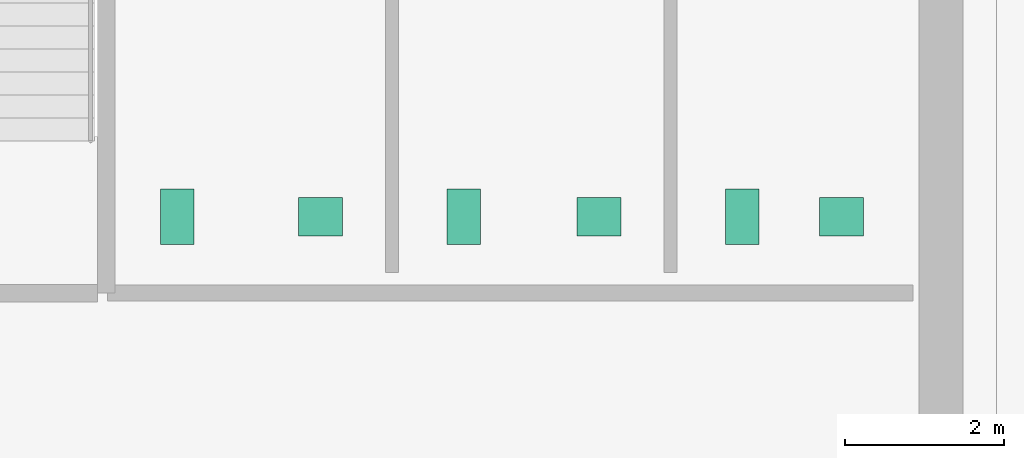
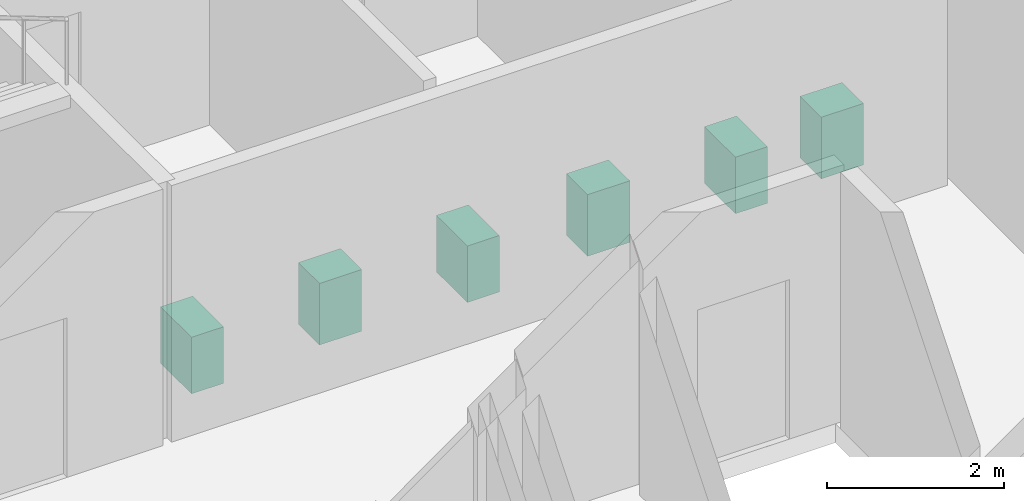
# One storey, part 13 of 13: 6 sanitary terminals.
"""IFC4 building model written with IfcOpenShell, lengths in metres."""

from ifc_helpers import new_model, si_unit, direction, frame, origin, origin_2d, place, context, subcontext, project, spatial, rectangle, extrude, material, type_object, element, save


model = new_model("IFC4")

# Units and contexts
model_context = context("Model", 3, precision=1e-05, world=origin(), true_north=direction((0.0, 1.0)))
body_context = subcontext(model_context, "Body", "Model", "MODEL_VIEW")
ifc_project = project(units=[si_unit("LENGTHUNIT", "METRE"), si_unit("AREAUNIT", "SQUARE_METRE"), si_unit("VOLUMEUNIT", "CUBIC_METRE"), si_unit("PLANEANGLEUNIT", "RADIAN"), si_unit("MASSUNIT", "GRAM", prefix="KILO")], contexts=[model_context])

# Site, building, storey
site_placement = place(None, origin())
site = spatial("IfcSite", under=ifc_project, at=site_placement, CompositionType="ELEMENT")
building_placement = place(site_placement, origin())
building = spatial("IfcBuilding", under=site, at=building_placement, Name="Norrvale University Quadrangle", CompositionType="ELEMENT")
storey_placement = place(building_placement, frame((0.0, 0.0, 277.199951171875)))
storey = spatial("IfcBuildingStorey", under=building, at=storey_placement, Name="L70", CompositionType="ELEMENT", Elevation=277.199951171875)

# Sanitary terminals
ifc_material = material(Name="Vitreous China Sanitaryware")
sanitary_terminal_type_1 = type_object("IfcSanitaryTerminalType", Name="Sanitary Wash Basin", PredefinedType="WASHHANDBASIN", material=ifc_material)
for number, where, z_axis, x_axis, name in (
    (1, (9.0, 41.10009765625, 0.0), (0.0, 0.0, 1.0), (1.0, 0.0, 0.0), "Accessible Countertop Washbasin L70-1"),
    (2, (12.5, 41.10009765625, 0.0), (0.0, 0.0, 1.0), (1.0, 0.0, 0.0), "Accessible Countertop Washbasin L70-2"),
    (3, (15.550048828125, 41.10009765625, 0.0), (0.0, 0.0, 1.0), (1.0, 0.0, 0.0), "Accessible Countertop Washbasin L70-3"),
):
    element("IfcSanitaryTerminal", number, at=place(storey_placement, frame(where, z_axis=z_axis, x_axis=x_axis)), inside=storey, type_object=sanitary_terminal_type_1, Name=name, PredefinedType="WASHHANDBASIN", context=body_context, shape_type="SweptSolid", body=[
        extrude(rectangle(XDim=0.550048828125, YDim=0.47998046875, at=origin_2d()), origin(), (0.0, 0.0, 1.0), 0.85009765625),
    ])
sanitary_terminal_type_2 = type_object("IfcSanitaryTerminalType", Name="Sanitary Water Closet", PredefinedType="TOILETPAN", material=ifc_material)
for number, where, z_axis, x_axis, name in (
    (4, (7.199951171875, 41.10009765625, 0.0), (0.0, 0.0, 1.0), (1.0, 0.0, 0.0), "Wall-Hung Water Closet L70-1"),
    (5, (10.800048828125, 41.10009765625, 0.0), (0.0, 0.0, 1.0), (1.0, 0.0, 0.0), "Wall-Hung Water Closet L70-2"),
    (6, (14.300048828125, 41.10009765625, 0.0), (0.0, 0.0, 1.0), (1.0, 0.0, 0.0), "Wall-Hung Water Closet L70-3"),
):
    element("IfcSanitaryTerminal", number, at=place(storey_placement, frame(where, z_axis=z_axis, x_axis=x_axis)), inside=storey, type_object=sanitary_terminal_type_2, Name=name, PredefinedType="TOILETPAN", context=body_context, shape_type="SweptSolid", body=[
        extrude(rectangle(XDim=0.419921875, YDim=0.699951171875, at=origin_2d()), origin(), (0.0, 0.0, 1.0), 0.780029296875),
    ])

save(model, "model.ifc")
